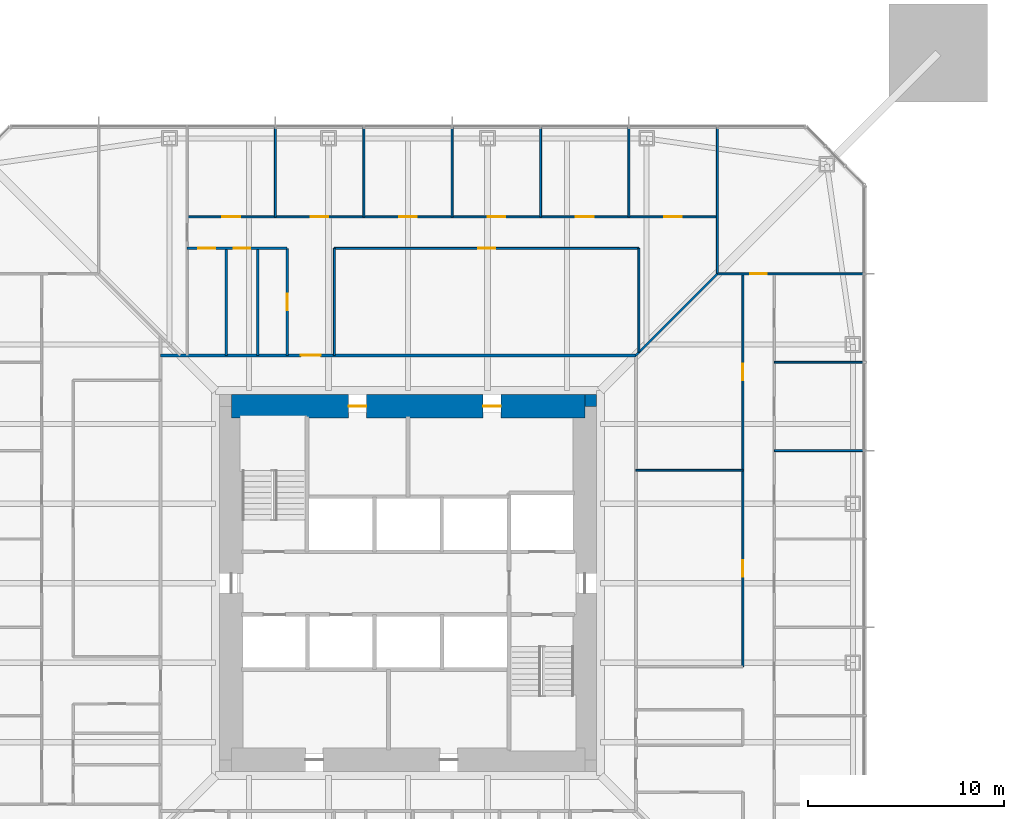
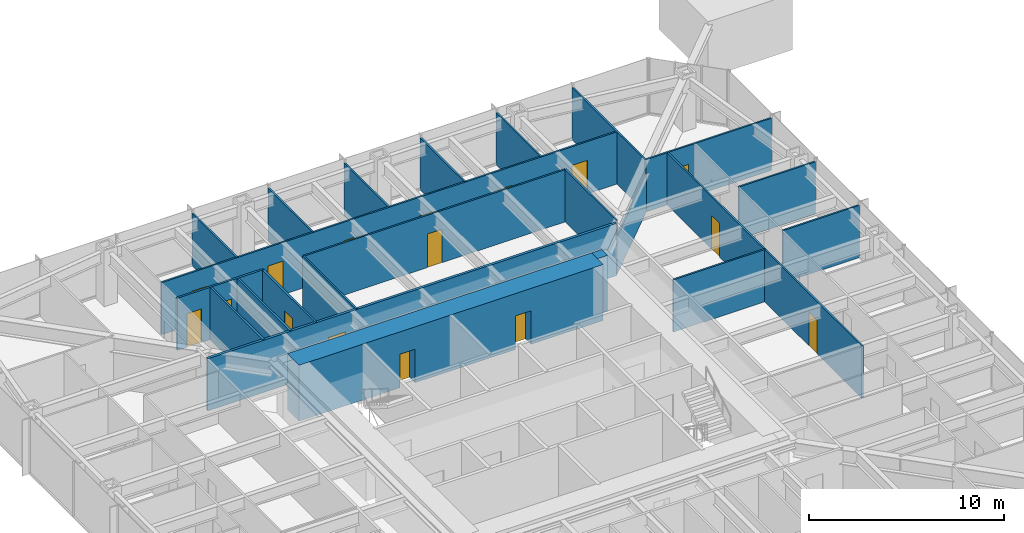
# One storey, part 17 of 26: 23 walls, 16 doors, 16 openings.
"""IFC4 building model written with IfcOpenShell, lengths in metres."""

from ifc_helpers import new_model, si_unit, direction, frame, frame_2d, origin, place, context, subcontext, project, spatial, rectangle, extrude, material, layer, layer_set, type_object, element, fill, save


model = new_model("IFC4")

# Units and contexts
model_context = context("Model", 3, precision=1e-05, world=origin(), true_north=direction((0.0, 1.0)))
body_context = subcontext(model_context, "Body", "Model", "MODEL_VIEW")
ifc_project = project(units=[si_unit("LENGTHUNIT", "METRE"), si_unit("AREAUNIT", "SQUARE_METRE"), si_unit("VOLUMEUNIT", "CUBIC_METRE"), si_unit("PLANEANGLEUNIT", "RADIAN"), si_unit("MASSUNIT", "GRAM", prefix="KILO")], contexts=[model_context])

# Site, building, storey
site_placement = place(None, origin())
site = spatial("IfcSite", under=ifc_project, at=site_placement, CompositionType="ELEMENT")
building_placement = place(site_placement, origin())
building = spatial("IfcBuilding", under=site, at=building_placement, Name="Iwan Alto Co-Living Towers", CompositionType="ELEMENT")
storey_placement = place(building_placement, frame((0.0, 0.0, 50.0)))
storey = spatial("IfcBuildingStorey", under=building, at=storey_placement, Name="L13", CompositionType="ELEMENT", Elevation=50.0)

# Wall, opening, door
ifc_material_1 = material(Name="Gypsum board")
ifc_layer_1 = layer(ifc_material_1, 0.02490234375, Name="Board", Category="Finish")
ifc_material_2 = material(Name="Steel ASTM A1003 ST33H cold-formed studs", Category="steel")
ifc_layer_2 = layer(ifc_material_2, 0.10009765625, Name="Studs", Category="Framing")
ifc_layer_3 = layer(ifc_material_1, 0.02490234375, Name="Board", Category="Finish")
ifc_layer_set_1 = layer_set([ifc_layer_1, ifc_layer_2, ifc_layer_3], Name="CORRIDOR WALL 150")
wall_type_1 = type_object("IfcWallType", Name="CORRIDOR WALL 150", PredefinedType="PARTITIONING", material=ifc_layer_set_1)
wall_1_placement = place(storey_placement, frame((-12.60009765625, 11.60009765625, 0.0), z_axis=(0.0, 0.0, 1.0), x_axis=(1.0, 0.0, 0.0)))
wall_1 = element("IfcWall", 1, at=wall_1_placement, inside=storey, type_object=wall_type_1, Name="Partition L13", PredefinedType="PARTITIONING", context=body_context, shape_type="SweptSolid", body=[
    extrude(rectangle(XDim=24.2001953125, YDim=0.14990234375, at=frame_2d((12.10009765625, 0.0))), origin(), (0.0, 0.0, 1.0), 3.27001953125),
])
opening_1_placement = place(wall_1_placement, frame((7.14990234375, 0.0, 0.0)))
opening_1 = element("IfcOpeningElement", 2, at=opening_1_placement, cuts=wall_1, Name="Opening D3", PredefinedType="OPENING", context=body_context, shape_type="SweptSolid", body=[
    extrude(rectangle(XDim=1.0, YDim=2.10009765625, at=frame_2d((0.5, 1.050048828125))), frame((0.0, 0.0849609375, 0.0), z_axis=(0.0, -1.0, 0.0), x_axis=(1.0, 0.0, 0.0)), (0.0, 0.0, 1.0), 0.169921875),
])
ifc_material_3 = material(Name="Steel frame with timber leaf", Category="steel")
door_type_1 = type_object("IfcDoorType", Name="FLAT ENTRANCE DOOR FD30S 1000X2100", OperationType="SINGLE_SWING_LEFT", PredefinedType="DOOR", material=ifc_material_3)
door_1_placement = place(opening_1_placement, origin())
door_1 = element("IfcDoor", 3, at=door_1_placement, inside=storey, type_object=door_type_1, Name="Cluster lounge and shared kitchen door L13", OperationType="SINGLE_SWING_LEFT", OverallHeight=2.10009765625, OverallWidth=1.0, PredefinedType="DOOR", context=body_context, shape_type="SweptSolid", body=[
    extrude(rectangle(XDim=1.0, YDim=2.10009765625, at=frame_2d((0.5, 1.050048828125))), frame((0.0, 0.02490234375, 0.0), z_axis=(0.0, -1.0, 0.0), x_axis=(1.0, 0.0, 0.0)), (0.0, 0.0, 1.0), 0.050048828125),
])
fill(opening_1, door_1)

# Walls
ifc_layer_4 = layer(ifc_material_1, 0.012451171875, Name="Board", Category="Finish")
ifc_layer_5 = layer(ifc_material_2, 0.074951171875, Name="Studs", Category="Framing")
ifc_layer_6 = layer(ifc_material_1, 0.012451171875, Name="Board", Category="Finish")
ifc_layer_set_2 = layer_set([ifc_layer_4, ifc_layer_5, ifc_layer_6], Name="PARTITION 100")
wall_type_2 = type_object("IfcWallType", Name="PARTITION 100", PredefinedType="PARTITIONING", material=ifc_layer_set_2)
wall_2_placement = place(storey_placement, frame((11.60009765625, 5.75, 0.0), z_axis=(0.0, 0.0, 1.0), x_axis=(1.0, 0.0, 0.0)))
element("IfcWall", 4, at=wall_2_placement, inside=storey, type_object=wall_type_2, Name="Partition L13", PredefinedType="PARTITIONING", context=body_context, shape_type="SweptSolid", body=[
    extrude(rectangle(XDim=5.449951171875, YDim=0.10009765625, at=frame_2d((2.72509765625, 0.0))), origin(), (0.0, 0.0, 1.0), 3.27001953125),
])
for number, where, z_axis, x_axis, name in (
    (5, (18.64990234375, 6.75, 0.0), (0.0, 0.0, 1.0), (1.0, 0.0, 0.0), "Partition L13"),
    (6, (18.64990234375, 11.25, 0.0), (0.0, 0.0, 1.0), (1.0, 0.0, 0.0), "Partition L13"),
):
    element("IfcWall", number, at=place(storey_placement, frame(where, z_axis=z_axis, x_axis=x_axis)), inside=storey, type_object=wall_type_2, Name=name, PredefinedType="PARTITIONING", context=body_context, shape_type="SweptSolid", body=[
        extrude(rectangle(XDim=4.5400390625, YDim=0.10009765625, at=frame_2d((2.27001953125, 0.0))), origin(), (0.0, 0.0, 1.0), 3.27001953125),
    ])

# Wall, opening, door
wall_3_placement = place(storey_placement, frame((15.75, 15.75, 0.0), z_axis=(0.0, 0.0, 1.0), x_axis=(1.0, 0.0, 0.0)))
wall_3 = element("IfcWall", 7, at=wall_3_placement, inside=storey, type_object=wall_type_2, Name="Partition L13", PredefinedType="PARTITIONING", context=body_context, shape_type="SweptSolid", body=[
    extrude(rectangle(XDim=7.43994140625, YDim=0.10009765625, at=frame_2d((3.719970703125, 0.0))), origin(), (0.0, 0.0, 1.0), 3.27001953125),
])
opening_2_placement = place(wall_3_placement, frame((1.675048828125, 0.0, 0.0)))
opening_2 = element("IfcOpeningElement", 8, at=opening_2_placement, cuts=wall_3, Name="Opening D2", PredefinedType="OPENING", context=body_context, shape_type="SweptSolid", body=[
    extrude(rectangle(XDim=0.85009765625, YDim=2.10009765625, at=frame_2d((0.425048828125, 1.050048828125))), frame((0.0, 0.06005859375, 0.0), z_axis=(0.0, -1.0, 0.0), x_axis=(1.0, 0.0, 0.0)), (0.0, 0.0, 1.0), 0.1201171875),
])
ifc_material_4 = material(Name="Timber leaf in steel frame", Category="steel")
door_type_2 = type_object("IfcDoorType", Name="ROOM DOOR 850X2100", OperationType="SINGLE_SWING_LEFT", PredefinedType="DOOR", material=ifc_material_4)
door_2_placement = place(opening_2_placement, frame((0.85009765625, 0.0, 0.0), z_axis=(0.0, 0.0, 1.0), x_axis=(-1.0, 0.0, 0.0)))
door_2 = element("IfcDoor", 9, at=door_2_placement, inside=storey, type_object=door_type_2, Name="Shared kitchen and lounge door L13", OperationType="SINGLE_SWING_RIGHT", OverallHeight=2.10009765625, OverallWidth=0.85009765625, PredefinedType="DOOR", context=body_context, shape_type="SweptSolid", body=[
    extrude(rectangle(XDim=0.85009765625, YDim=2.10009765625, at=frame_2d((0.425048828125, 1.050048828125))), frame((0.0, 0.02490234375, 0.0), z_axis=(0.0, -1.0, 0.0), x_axis=(1.0, 0.0, 0.0)), (0.0, 0.0, 1.0), 0.050048828125),
])
fill(opening_2, door_2)

wall_4_placement = place(storey_placement, frame((-3.75, 17.050048828125, 0.0), z_axis=(0.0, 0.0, 1.0), x_axis=(1.0, 0.0, 0.0)))
wall_4 = element("IfcWall", 10, at=wall_4_placement, inside=storey, type_object=wall_type_2, Name="Partition L13", PredefinedType="PARTITIONING", context=body_context, shape_type="SweptSolid", body=[
    extrude(rectangle(XDim=15.510009765625, YDim=0.10009765625, at=frame_2d((7.7548828125, 0.0))), origin(), (0.0, 0.0, 1.0), 3.27001953125),
])
opening_3_placement = place(wall_4_placement, frame((7.330078125, 0.0, 0.0)))
opening_3 = element("IfcOpeningElement", 11, at=opening_3_placement, cuts=wall_4, Name="Opening D2", PredefinedType="OPENING", context=body_context, shape_type="SweptSolid", body=[
    extrude(rectangle(XDim=0.85009765625, YDim=2.10009765625, at=frame_2d((0.425048828125, 1.050048828125))), frame((0.0, 0.06005859375, 0.0), z_axis=(0.0, -1.0, 0.0), x_axis=(1.0, 0.0, 0.0)), (0.0, 0.0, 1.0), 0.1201171875),
])
door_3_placement = place(opening_3_placement, frame((0.85009765625, 0.0, 0.0), z_axis=(0.0, 0.0, 1.0), x_axis=(-1.0, 0.0, 0.0)))
door_3 = element("IfcDoor", 12, at=door_3_placement, inside=storey, type_object=door_type_2, Name="Study lounge door L13", OperationType="SINGLE_SWING_RIGHT", OverallHeight=2.10009765625, OverallWidth=0.85009765625, PredefinedType="DOOR", context=body_context, shape_type="SweptSolid", body=[
    extrude(rectangle(XDim=0.85009765625, YDim=2.10009765625, at=frame_2d((0.425048828125, 1.050048828125))), frame((0.0, 0.02490234375, 0.0), z_axis=(0.0, -1.0, 0.0), x_axis=(1.0, 0.0, 0.0)), (0.0, 0.0, 1.0), 0.050048828125),
])
fill(opening_3, door_3)

# Wall, openings, doors
wall_5_placement = place(storey_placement, frame((-11.25, 18.64990234375, 0.0), z_axis=(0.0, 0.0, 1.0), x_axis=(1.0, 0.0, 0.0)))
wall_5 = element("IfcWall", 13, at=wall_5_placement, inside=storey, type_object=wall_type_2, Name="Partition L13", PredefinedType="PARTITIONING", context=body_context, shape_type="SweptSolid", body=[
    extrude(rectangle(XDim=27.0, YDim=0.10009765625, at=frame_2d((13.5, 0.0))), origin(), (0.0, 0.0, 1.0), 3.27001953125),
])
opening_4_placement = place(wall_5_placement, frame((24.300048828125, 0.0, 0.0)))
opening_4 = element("IfcOpeningElement", 14, at=opening_4_placement, cuts=wall_5, Name="Opening D1", PredefinedType="OPENING", context=body_context, shape_type="SweptSolid", body=[
    extrude(rectangle(XDim=0.89990234375, YDim=2.10009765625, at=frame_2d((0.449951171875, 1.050048828125))), frame((0.0, 0.06005859375, 0.0), z_axis=(0.0, -1.0, 0.0), x_axis=(1.0, 0.0, 0.0)), (0.0, 0.0, 1.0), 0.1201171875),
])
opening_5_placement = place(wall_5_placement, frame((19.800048828125, 0.0, 0.0)))
opening_5 = element("IfcOpeningElement", 15, at=opening_5_placement, cuts=wall_5, Name="Opening D1", PredefinedType="OPENING", context=body_context, shape_type="SweptSolid", body=[
    extrude(rectangle(XDim=0.89990234375, YDim=2.10009765625, at=frame_2d((0.449951171875, 1.050048828125))), frame((0.0, 0.06005859375, 0.0), z_axis=(0.0, -1.0, 0.0), x_axis=(1.0, 0.0, 0.0)), (0.0, 0.0, 1.0), 0.1201171875),
])
opening_6_placement = place(wall_5_placement, frame((15.300048828125, 0.0, 0.0)))
opening_6 = element("IfcOpeningElement", 16, at=opening_6_placement, cuts=wall_5, Name="Opening D1", PredefinedType="OPENING", context=body_context, shape_type="SweptSolid", body=[
    extrude(rectangle(XDim=0.89990234375, YDim=2.10009765625, at=frame_2d((0.449951171875, 1.050048828125))), frame((0.0, 0.06005859375, 0.0), z_axis=(0.0, -1.0, 0.0), x_axis=(1.0, 0.0, 0.0)), (0.0, 0.0, 1.0), 0.1201171875),
])
opening_7_placement = place(wall_5_placement, frame((10.800048828125, 0.0, 0.0)))
opening_7 = element("IfcOpeningElement", 17, at=opening_7_placement, cuts=wall_5, Name="Opening D1", PredefinedType="OPENING", context=body_context, shape_type="SweptSolid", body=[
    extrude(rectangle(XDim=0.89990234375, YDim=2.10009765625, at=frame_2d((0.449951171875, 1.050048828125))), frame((0.0, 0.06005859375, 0.0), z_axis=(0.0, -1.0, 0.0), x_axis=(1.0, 0.0, 0.0)), (0.0, 0.0, 1.0), 0.1201171875),
])
opening_8_placement = place(wall_5_placement, frame((6.300048828125, 0.0, 0.0)))
opening_8 = element("IfcOpeningElement", 18, at=opening_8_placement, cuts=wall_5, Name="Opening D1", PredefinedType="OPENING", context=body_context, shape_type="SweptSolid", body=[
    extrude(rectangle(XDim=0.89990234375, YDim=2.10009765625, at=frame_2d((0.449951171875, 1.050048828125))), frame((0.0, 0.06005859375, 0.0), z_axis=(0.0, -1.0, 0.0), x_axis=(1.0, 0.0, 0.0)), (0.0, 0.0, 1.0), 0.1201171875),
])
opening_9_placement = place(wall_5_placement, frame((1.800048828125, 0.0, 0.0)))
opening_9 = element("IfcOpeningElement", 19, at=opening_9_placement, cuts=wall_5, Name="Opening D1", PredefinedType="OPENING", context=body_context, shape_type="SweptSolid", body=[
    extrude(rectangle(XDim=0.89990234375, YDim=2.10009765625, at=frame_2d((0.449951171875, 1.050048828125))), frame((0.0, 0.06005859375, 0.0), z_axis=(0.0, -1.0, 0.0), x_axis=(1.0, 0.0, 0.0)), (0.0, 0.0, 1.0), 0.1201171875),
])
ifc_material_5 = material(Name="Timber leaf in steel frame", Category="steel")
door_type_3 = type_object("IfcDoorType", Name="BEDROOM DOOR 900X2100", OperationType="SINGLE_SWING_LEFT", PredefinedType="DOOR", material=ifc_material_5)
door_4_placement = place(opening_4_placement, frame((0.89990234375, 0.0, 0.0), z_axis=(0.0, 0.0, 1.0), x_axis=(-1.0, 0.0, 0.0)))
door_4 = element("IfcDoor", 20, at=door_4_placement, inside=storey, type_object=door_type_3, Name="Study bedroom door L13", OperationType="SINGLE_SWING_LEFT", OverallHeight=2.10009765625, OverallWidth=0.89990234375, PredefinedType="DOOR", context=body_context, shape_type="SweptSolid", body=[
    extrude(rectangle(XDim=0.89990234375, YDim=2.10009765625, at=frame_2d((0.449951171875, 1.050048828125))), frame((0.0, 0.02490234375, 0.0), z_axis=(0.0, -1.0, 0.0), x_axis=(1.0, 0.0, 0.0)), (0.0, 0.0, 1.0), 0.050048828125),
])
fill(opening_4, door_4)
door_5_placement = place(opening_5_placement, frame((0.89990234375, 0.0, 0.0), z_axis=(0.0, 0.0, 1.0), x_axis=(-1.0, 0.0, 0.0)))
door_5 = element("IfcDoor", 21, at=door_5_placement, inside=storey, type_object=door_type_3, Name="Study bedroom door L13", OperationType="SINGLE_SWING_LEFT", OverallHeight=2.10009765625, OverallWidth=0.89990234375, PredefinedType="DOOR", context=body_context, shape_type="SweptSolid", body=[
    extrude(rectangle(XDim=0.89990234375, YDim=2.10009765625, at=frame_2d((0.449951171875, 1.050048828125))), frame((0.0, 0.02490234375, 0.0), z_axis=(0.0, -1.0, 0.0), x_axis=(1.0, 0.0, 0.0)), (0.0, 0.0, 1.0), 0.050048828125),
])
fill(opening_5, door_5)
door_6_placement = place(opening_6_placement, frame((0.89990234375, 0.0, 0.0), z_axis=(0.0, 0.0, 1.0), x_axis=(-1.0, 0.0, 0.0)))
door_6 = element("IfcDoor", 22, at=door_6_placement, inside=storey, type_object=door_type_3, Name="Study bedroom door L13", OperationType="SINGLE_SWING_LEFT", OverallHeight=2.10009765625, OverallWidth=0.89990234375, PredefinedType="DOOR", context=body_context, shape_type="SweptSolid", body=[
    extrude(rectangle(XDim=0.89990234375, YDim=2.10009765625, at=frame_2d((0.449951171875, 1.050048828125))), frame((0.0, 0.02490234375, 0.0), z_axis=(0.0, -1.0, 0.0), x_axis=(1.0, 0.0, 0.0)), (0.0, 0.0, 1.0), 0.050048828125),
])
fill(opening_6, door_6)
door_7_placement = place(opening_7_placement, frame((0.89990234375, 0.0, 0.0), z_axis=(0.0, 0.0, 1.0), x_axis=(-1.0, 0.0, 0.0)))
door_7 = element("IfcDoor", 23, at=door_7_placement, inside=storey, type_object=door_type_3, Name="Study bedroom door L13", OperationType="SINGLE_SWING_RIGHT", OverallHeight=2.10009765625, OverallWidth=0.89990234375, PredefinedType="DOOR", context=body_context, shape_type="SweptSolid", body=[
    extrude(rectangle(XDim=0.89990234375, YDim=2.10009765625, at=frame_2d((0.449951171875, 1.050048828125))), frame((0.0, 0.02490234375, 0.0), z_axis=(0.0, -1.0, 0.0), x_axis=(1.0, 0.0, 0.0)), (0.0, 0.0, 1.0), 0.050048828125),
])
fill(opening_7, door_7)
door_8_placement = place(opening_8_placement, frame((0.89990234375, 0.0, 0.0), z_axis=(0.0, 0.0, 1.0), x_axis=(-1.0, 0.0, 0.0)))
door_8 = element("IfcDoor", 24, at=door_8_placement, inside=storey, type_object=door_type_3, Name="Study bedroom door L13", OperationType="SINGLE_SWING_RIGHT", OverallHeight=2.10009765625, OverallWidth=0.89990234375, PredefinedType="DOOR", context=body_context, shape_type="SweptSolid", body=[
    extrude(rectangle(XDim=0.89990234375, YDim=2.10009765625, at=frame_2d((0.449951171875, 1.050048828125))), frame((0.0, 0.02490234375, 0.0), z_axis=(0.0, -1.0, 0.0), x_axis=(1.0, 0.0, 0.0)), (0.0, 0.0, 1.0), 0.050048828125),
])
fill(opening_8, door_8)
door_9_placement = place(opening_9_placement, frame((0.89990234375, 0.0, 0.0), z_axis=(0.0, 0.0, 1.0), x_axis=(-1.0, 0.0, 0.0)))
door_9 = element("IfcDoor", 25, at=door_9_placement, inside=storey, type_object=door_type_3, Name="Study bedroom door L13", OperationType="SINGLE_SWING_RIGHT", OverallHeight=2.10009765625, OverallWidth=0.89990234375, PredefinedType="DOOR", context=body_context, shape_type="SweptSolid", body=[
    extrude(rectangle(XDim=0.89990234375, YDim=2.10009765625, at=frame_2d((0.449951171875, 1.050048828125))), frame((0.0, 0.02490234375, 0.0), z_axis=(0.0, -1.0, 0.0), x_axis=(1.0, 0.0, 0.0)), (0.0, 0.0, 1.0), 0.050048828125),
])
fill(opening_9, door_9)

# Wall
wall_6_placement = place(storey_placement, frame((11.60009765625, 11.60009765625, 0.0), z_axis=(0.0, 0.0, 1.0), x_axis=(0.707106781187, 0.707106781187, 0.0)))
element("IfcWall", 26, at=wall_6_placement, inside=storey, type_object=wall_type_2, Name="Partition L13", PredefinedType="PARTITIONING", context=body_context, shape_type="SweptSolid", body=[
    extrude(rectangle(XDim=5.868896484375, YDim=0.10009765625, at=frame_2d((2.9345703125, 0.0))), origin(), (0.0, 0.0, 1.0), 2.343017578125),
])

# Wall, openings, doors
wall_7_placement = place(storey_placement, frame((17.050048828125, -4.25, 0.0), z_axis=(0.0, 0.0, 1.0), x_axis=(0.0, 1.0, 0.0)))
wall_7 = element("IfcWall", 27, at=wall_7_placement, inside=storey, type_object=wall_type_2, Name="Partition L13", PredefinedType="PARTITIONING", context=body_context, shape_type="SweptSolid", body=[
    extrude(rectangle(XDim=20.0, YDim=0.10009765625, at=frame_2d((10.0, 0.0))), origin(), (0.0, 0.0, 1.0), 3.27001953125),
])
opening_10_placement = place(wall_7_placement, frame((4.574951171875, 0.0, 0.0)))
opening_10 = element("IfcOpeningElement", 28, at=opening_10_placement, cuts=wall_7, Name="Opening D2", PredefinedType="OPENING", context=body_context, shape_type="SweptSolid", body=[
    extrude(rectangle(XDim=0.85009765625, YDim=2.10009765625, at=frame_2d((0.425048828125, 1.050048828125))), frame((0.0, 0.06005859375, 0.0), z_axis=(0.0, -1.0, 0.0), x_axis=(1.0, 0.0, 0.0)), (0.0, 0.0, 1.0), 0.1201171875),
])
opening_11_placement = place(wall_7_placement, frame((14.574951171875, 0.0, 0.0)))
opening_11 = element("IfcOpeningElement", 29, at=opening_11_placement, cuts=wall_7, Name="Opening D2", PredefinedType="OPENING", context=body_context, shape_type="SweptSolid", body=[
    extrude(rectangle(XDim=0.85009765625, YDim=2.10009765625, at=frame_2d((0.425048828125, 1.050048828125))), frame((0.0, 0.06005859375, 0.0), z_axis=(0.0, -1.0, 0.0), x_axis=(1.0, 0.0, 0.0)), (0.0, 0.0, 1.0), 0.1201171875),
])
door_10_placement = place(opening_10_placement, frame((0.85009765625, 0.0, 0.0), z_axis=(0.0, 0.0, 1.0), x_axis=(-1.0, 0.0, 0.0)))
door_10 = element("IfcDoor", 30, at=door_10_placement, inside=storey, type_object=door_type_2, Name="Study lounge door L13", OperationType="SINGLE_SWING_LEFT", OverallHeight=2.10009765625, OverallWidth=0.85009765625, PredefinedType="DOOR", context=body_context, shape_type="SweptSolid", body=[
    extrude(rectangle(XDim=0.85009765625, YDim=2.10009765625, at=frame_2d((0.425048828125, 1.050048828125))), frame((0.0, 0.02490234375, 0.0), z_axis=(0.0, -1.0, 0.0), x_axis=(1.0, 0.0, 0.0)), (0.0, 0.0, 1.0), 0.050048828125),
])
fill(opening_10, door_10)
door_11_placement = place(opening_11_placement, frame((0.85009765625, 0.0, 0.0), z_axis=(0.0, 0.0, 1.0), x_axis=(-1.0, 0.0, 0.0)))
door_11 = element("IfcDoor", 31, at=door_11_placement, inside=storey, type_object=door_type_2, Name="Study lounge door L13", OperationType="SINGLE_SWING_LEFT", OverallHeight=2.10009765625, OverallWidth=0.85009765625, PredefinedType="DOOR", context=body_context, shape_type="SweptSolid", body=[
    extrude(rectangle(XDim=0.85009765625, YDim=2.10009765625, at=frame_2d((0.425048828125, 1.050048828125))), frame((0.0, 0.02490234375, 0.0), z_axis=(0.0, -1.0, 0.0), x_axis=(1.0, 0.0, 0.0)), (0.0, 0.0, 1.0), 0.050048828125),
])
fill(opening_11, door_11)

# Walls
wall_8_placement = place(storey_placement, frame((15.75, 15.75, 0.0), z_axis=(0.0, 0.0, 1.0), x_axis=(0.0, 1.0, 0.0)))
element("IfcWall", 32, at=wall_8_placement, inside=storey, type_object=wall_type_2, Name="Partition L13", PredefinedType="PARTITIONING", context=body_context, shape_type="SweptSolid", body=[
    extrude(rectangle(XDim=7.43994140625, YDim=0.10009765625, at=frame_2d((3.719970703125, 0.0))), origin(), (0.0, 0.0, 1.0), 3.27001953125),
])
wall_9_placement = place(storey_placement, frame((11.760009765625, 11.760009765625, 0.0), z_axis=(0.0, 0.0, 1.0), x_axis=(0.0, 1.0, 0.0)))
element("IfcWall", 33, at=wall_9_placement, inside=storey, type_object=wall_type_2, Name="Partition L13", PredefinedType="PARTITIONING", context=body_context, shape_type="SweptSolid", body=[
    extrude(rectangle(XDim=5.2900390625, YDim=0.10009765625, at=frame_2d((2.64501953125, 0.0))), origin(), (0.0, 0.0, 1.0), 3.27001953125),
])
for number, where, z_axis, x_axis, name in (
    (34, (11.25, 18.64990234375, 0.0), (0.0, 0.0, 1.0), (0.0, 1.0, 0.0), "Partition L13"),
    (35, (6.75, 18.64990234375, 0.0), (0.0, 0.0, 1.0), (0.0, 1.0, 0.0), "Partition L13"),
    (36, (2.25, 18.64990234375, 0.0), (0.0, 0.0, 1.0), (0.0, 1.0, 0.0), "Partition L13"),
    (37, (-2.25, 18.64990234375, 0.0), (0.0, 0.0, 1.0), (0.0, 1.0, 0.0), "Partition L13"),
):
    element("IfcWall", number, at=place(storey_placement, frame(where, z_axis=z_axis, x_axis=x_axis)), inside=storey, type_object=wall_type_2, Name=name, PredefinedType="PARTITIONING", context=body_context, shape_type="SweptSolid", body=[
        extrude(rectangle(XDim=4.5400390625, YDim=0.10009765625, at=frame_2d((2.27001953125, 0.0))), origin(), (0.0, 0.0, 1.0), 3.27001953125),
    ])
wall_10_placement = place(storey_placement, frame((-3.75, 11.60009765625, 0.0), z_axis=(0.0, 0.0, 1.0), x_axis=(0.0, 1.0, 0.0)))
element("IfcWall", 38, at=wall_10_placement, inside=storey, type_object=wall_type_2, Name="Partition L13", PredefinedType="PARTITIONING", context=body_context, shape_type="SweptSolid", body=[
    extrude(rectangle(XDim=5.449951171875, YDim=0.10009765625, at=frame_2d((2.72509765625, 0.0))), origin(), (0.0, 0.0, 1.0), 3.27001953125),
])
wall_11_placement = place(storey_placement, frame((-6.75, 18.64990234375, 0.0), z_axis=(0.0, 0.0, 1.0), x_axis=(0.0, 1.0, 0.0)))
element("IfcWall", 39, at=wall_11_placement, inside=storey, type_object=wall_type_2, Name="Partition L13", PredefinedType="PARTITIONING", context=body_context, shape_type="SweptSolid", body=[
    extrude(rectangle(XDim=4.5400390625, YDim=0.10009765625, at=frame_2d((2.27001953125, 0.0))), origin(), (0.0, 0.0, 1.0), 3.27001953125),
])
ifc_material_6 = material(Name="Concrete f'c 70 MPa", Category="concrete")
ifc_layer_7 = layer(ifc_material_6, 0.60009765625)
ifc_layer_set_3 = layer_set([ifc_layer_7], Name="T1 CORE CORNER FILL 600")
wall_type_3 = type_object("IfcWallType", Name="T1 CORE CORNER FILL 600", PredefinedType="SOLIDWALL", material=ifc_layer_set_3)
wall_12_placement = place(storey_placement, frame((9.0, 9.300048828125, 0.0), z_axis=(0.0, 0.0, 1.0), x_axis=(1.0, 0.0, 0.0)))
element("IfcWall", 40, at=wall_12_placement, inside=storey, type_object=wall_type_3, Name="T1 core corner NE L13", PredefinedType="SOLIDWALL", context=body_context, shape_type="SweptSolid", body=[
    extrude(rectangle(XDim=0.60009765625, YDim=0.60009765625, at=frame_2d((0.300048828125, 0.0))), origin(), (0.0, 0.0, 1.0), 3.5),
])

# Wall, openings, doors
ifc_material_7 = material(Name="Concrete f'c 70 MPa", Category="concrete")
ifc_layer_8 = layer(ifc_material_7, 1.199951171875)
ifc_layer_set_4 = layer_set([ifc_layer_8], Name="T1 CORE WALL 1200")
wall_type_4 = type_object("IfcWallType", Name="T1 CORE WALL 1200", PredefinedType="SHEAR", material=ifc_layer_set_4)
wall_13_placement = place(storey_placement, frame((9.0, 9.0, 0.0), z_axis=(0.0, 0.0, 1.0), x_axis=(-1.0, 0.0, 0.0)))
wall_13 = element("IfcWall", 41, at=wall_13_placement, inside=storey, type_object=wall_type_4, Name="T1 core wall N L13", PredefinedType="SHEAR", context=body_context, shape_type="SweptSolid", body=[
    extrude(rectangle(XDim=18.0, YDim=1.199951171875, at=frame_2d((9.0, 0.0))), origin(), (0.0, 0.0, 1.0), 3.5),
])
opening_12_placement = place(wall_13_placement, frame((11.125, 0.0, 0.0)))
opening_12 = element("IfcOpeningElement", 42, at=opening_12_placement, cuts=wall_13, Name="Opening D8", PredefinedType="OPENING", context=body_context, shape_type="SweptSolid", body=[
    extrude(rectangle(XDim=0.89990234375, YDim=2.10009765625, at=frame_2d((0.449951171875, 1.050048828125))), frame((0.0, 0.60986328125, 0.0), z_axis=(0.0, -1.0, 0.0), x_axis=(1.0, 0.0, 0.0)), (0.0, 0.0, 1.0), 1.219970703125),
])
opening_13_placement = place(wall_13_placement, frame((4.27490234375, 0.0, 0.0)))
opening_13 = element("IfcOpeningElement", 43, at=opening_13_placement, cuts=wall_13, Name="Opening D8", PredefinedType="OPENING", context=body_context, shape_type="SweptSolid", body=[
    extrude(rectangle(XDim=0.89990234375, YDim=2.10009765625, at=frame_2d((0.449951171875, 1.050048828125))), frame((0.0, 0.60986328125, 0.0), z_axis=(0.0, -1.0, 0.0), x_axis=(1.0, 0.0, 0.0)), (0.0, 0.0, 1.0), 1.219970703125),
])
ifc_material_8 = material(Name="Steel frame with timber leaf", Category="steel")
door_type_4 = type_object("IfcDoorType", Name="RISER DOOR FD120 900X2100", OperationType="SINGLE_SWING_LEFT", PredefinedType="DOOR", material=ifc_material_8)
door_12_placement = place(opening_12_placement, origin())
door_12 = element("IfcDoor", 44, at=door_12_placement, inside=storey, type_object=door_type_4, Name="Electrical riser core door L13", OperationType="SINGLE_SWING_RIGHT", OverallHeight=2.10009765625, OverallWidth=0.89990234375, PredefinedType="DOOR", context=body_context, shape_type="SweptSolid", body=[
    extrude(rectangle(XDim=0.89990234375, YDim=2.10009765625, at=frame_2d((0.449951171875, 1.050048828125))), frame((0.0, 0.02490234375, 0.0), z_axis=(0.0, -1.0, 0.0), x_axis=(1.0, 0.0, 0.0)), (0.0, 0.0, 1.0), 0.050048828125),
])
fill(opening_12, door_12)
door_13_placement = place(opening_13_placement, origin())
door_13 = element("IfcDoor", 45, at=door_13_placement, inside=storey, type_object=door_type_4, Name="Water and drainage riser core door L13", OperationType="SINGLE_SWING_RIGHT", OverallHeight=2.10009765625, OverallWidth=0.89990234375, PredefinedType="DOOR", context=body_context, shape_type="SweptSolid", body=[
    extrude(rectangle(XDim=0.89990234375, YDim=2.10009765625, at=frame_2d((0.449951171875, 1.050048828125))), frame((0.0, 0.02490234375, 0.0), z_axis=(0.0, -1.0, 0.0), x_axis=(1.0, 0.0, 0.0)), (0.0, 0.0, 1.0), 0.050048828125),
])
fill(opening_13, door_13)

ifc_material_9 = material(Name="Cement board")
ifc_layer_9 = layer(ifc_material_9, 0.012451171875, Name="Board", Category="Finish")
ifc_layer_10 = layer(ifc_material_2, 0.094970703125, Name="Studs", Category="Framing")
ifc_layer_11 = layer(ifc_material_9, 0.012451171875, Name="Board", Category="Finish")
ifc_layer_set_5 = layer_set([ifc_layer_9, ifc_layer_10, ifc_layer_11], Name="WET AREA PARTITION 120")
wall_type_5 = type_object("IfcWallType", Name="WET AREA PARTITION 120", PredefinedType="PARTITIONING", material=ifc_layer_set_5)
wall_14_placement = place(storey_placement, frame((-11.25, 17.050048828125, 0.0), z_axis=(0.0, 0.0, 1.0), x_axis=(1.0, 0.0, 0.0)))
wall_14 = element("IfcWall", 46, at=wall_14_placement, inside=storey, type_object=wall_type_5, Name="Partition L13", PredefinedType="PARTITIONING", context=body_context, shape_type="SweptSolid", body=[
    extrude(rectangle(XDim=5.10009765625, YDim=0.1201171875, at=frame_2d((2.550048828125, 0.0))), origin(), (0.0, 0.0, 1.0), 3.27001953125),
])
opening_14_placement = place(wall_14_placement, frame((2.375, 0.0, 0.0)))
opening_14 = element("IfcOpeningElement", 47, at=opening_14_placement, cuts=wall_14, Name="Opening D2", PredefinedType="OPENING", context=body_context, shape_type="SweptSolid", body=[
    extrude(rectangle(XDim=0.85009765625, YDim=2.10009765625, at=frame_2d((0.425048828125, 1.050048828125))), frame((0.0, 0.070068359375, 0.0), z_axis=(0.0, -1.0, 0.0), x_axis=(1.0, 0.0, 0.0)), (0.0, 0.0, 1.0), 0.14013671875),
])
opening_15_placement = place(wall_14_placement, frame((0.574951171875, 0.0, 0.0)))
opening_15 = element("IfcOpeningElement", 48, at=opening_15_placement, cuts=wall_14, Name="Opening D2", PredefinedType="OPENING", context=body_context, shape_type="SweptSolid", body=[
    extrude(rectangle(XDim=0.85009765625, YDim=2.10009765625, at=frame_2d((0.425048828125, 1.050048828125))), frame((0.0, 0.070068359375, 0.0), z_axis=(0.0, -1.0, 0.0), x_axis=(1.0, 0.0, 0.0)), (0.0, 0.0, 1.0), 0.14013671875),
])
door_14_placement = place(opening_14_placement, origin())
door_14 = element("IfcDoor", 49, at=door_14_placement, inside=storey, type_object=door_type_2, Name="Accessible bathroom door L13", OperationType="SINGLE_SWING_LEFT", OverallHeight=2.10009765625, OverallWidth=0.85009765625, PredefinedType="DOOR", context=body_context, shape_type="SweptSolid", body=[
    extrude(rectangle(XDim=0.85009765625, YDim=2.10009765625, at=frame_2d((0.425048828125, 1.050048828125))), frame((0.0, 0.02490234375, 0.0), z_axis=(0.0, -1.0, 0.0), x_axis=(1.0, 0.0, 0.0)), (0.0, 0.0, 1.0), 0.050048828125),
])
fill(opening_14, door_14)
door_15_placement = place(opening_15_placement, origin())
door_15 = element("IfcDoor", 50, at=door_15_placement, inside=storey, type_object=door_type_2, Name="Laundry door L13", OperationType="SINGLE_SWING_LEFT", OverallHeight=2.10009765625, OverallWidth=0.85009765625, PredefinedType="DOOR", context=body_context, shape_type="SweptSolid", body=[
    extrude(rectangle(XDim=0.85009765625, YDim=2.10009765625, at=frame_2d((0.425048828125, 1.050048828125))), frame((0.0, 0.02490234375, 0.0), z_axis=(0.0, -1.0, 0.0), x_axis=(1.0, 0.0, 0.0)), (0.0, 0.0, 1.0), 0.050048828125),
])
fill(opening_15, door_15)

# Wall, opening, door
wall_15_placement = place(storey_placement, frame((-6.14990234375, 11.60009765625, 0.0), z_axis=(0.0, 0.0, 1.0), x_axis=(0.0, 1.0, 0.0)))
wall_15 = element("IfcWall", 51, at=wall_15_placement, inside=storey, type_object=wall_type_5, Name="Partition L13", PredefinedType="PARTITIONING", context=body_context, shape_type="SweptSolid", body=[
    extrude(rectangle(XDim=5.449951171875, YDim=0.1201171875, at=frame_2d((2.72509765625, 0.0))), origin(), (0.0, 0.0, 1.0), 3.27001953125),
])
opening_16_placement = place(wall_15_placement, frame((2.300048828125, 0.0, 0.0)))
opening_16 = element("IfcOpeningElement", 52, at=opening_16_placement, cuts=wall_15, Name="Opening D2", PredefinedType="OPENING", context=body_context, shape_type="SweptSolid", body=[
    extrude(rectangle(XDim=0.85009765625, YDim=2.10009765625, at=frame_2d((0.425048828125, 1.050048828125))), frame((0.0, 0.070068359375, 0.0), z_axis=(0.0, -1.0, 0.0), x_axis=(1.0, 0.0, 0.0)), (0.0, 0.0, 1.0), 0.14013671875),
])
door_16_placement = place(opening_16_placement, frame((0.85009765625, 0.0, 0.0), z_axis=(0.0, 0.0, 1.0), x_axis=(-1.0, 0.0, 0.0)))
door_16 = element("IfcDoor", 53, at=door_16_placement, inside=storey, type_object=door_type_2, Name="Bathroom door L13", OperationType="SINGLE_SWING_RIGHT", OverallHeight=2.10009765625, OverallWidth=0.85009765625, PredefinedType="DOOR", context=body_context, shape_type="SweptSolid", body=[
    extrude(rectangle(XDim=0.85009765625, YDim=2.10009765625, at=frame_2d((0.425048828125, 1.050048828125))), frame((0.0, 0.02490234375, 0.0), z_axis=(0.0, -1.0, 0.0), x_axis=(1.0, 0.0, 0.0)), (0.0, 0.0, 1.0), 0.050048828125),
])
fill(opening_16, door_16)

# Walls
for number, where, z_axis, x_axis, name in (
    (54, (-7.64990234375, 11.60009765625, 0.0), (0.0, 0.0, 1.0), (0.0, 1.0, 0.0), "Partition L13"),
    (55, (-9.25, 11.60009765625, 0.0), (0.0, 0.0, 1.0), (0.0, 1.0, 0.0), "Partition L13"),
):
    element("IfcWall", number, at=place(storey_placement, frame(where, z_axis=z_axis, x_axis=x_axis)), inside=storey, type_object=wall_type_5, Name=name, PredefinedType="PARTITIONING", context=body_context, shape_type="SweptSolid", body=[
        extrude(rectangle(XDim=5.449951171875, YDim=0.1201171875, at=frame_2d((2.72509765625, 0.0))), origin(), (0.0, 0.0, 1.0), 3.27001953125),
    ])

save(model, "model.ifc")
